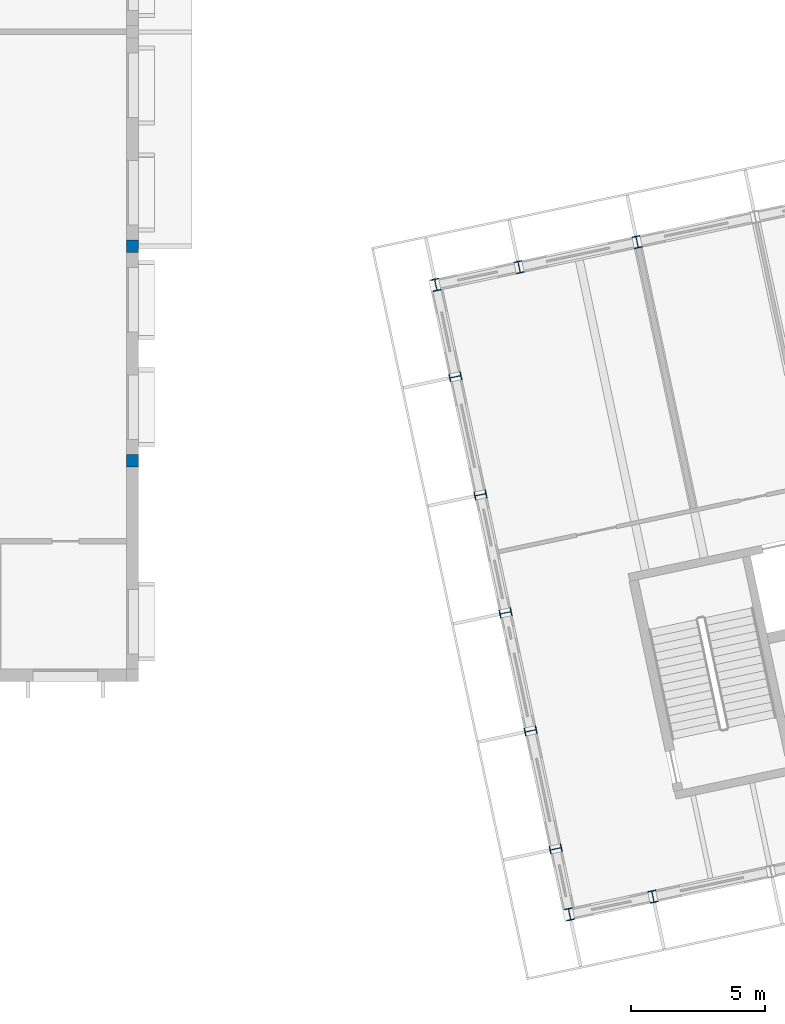
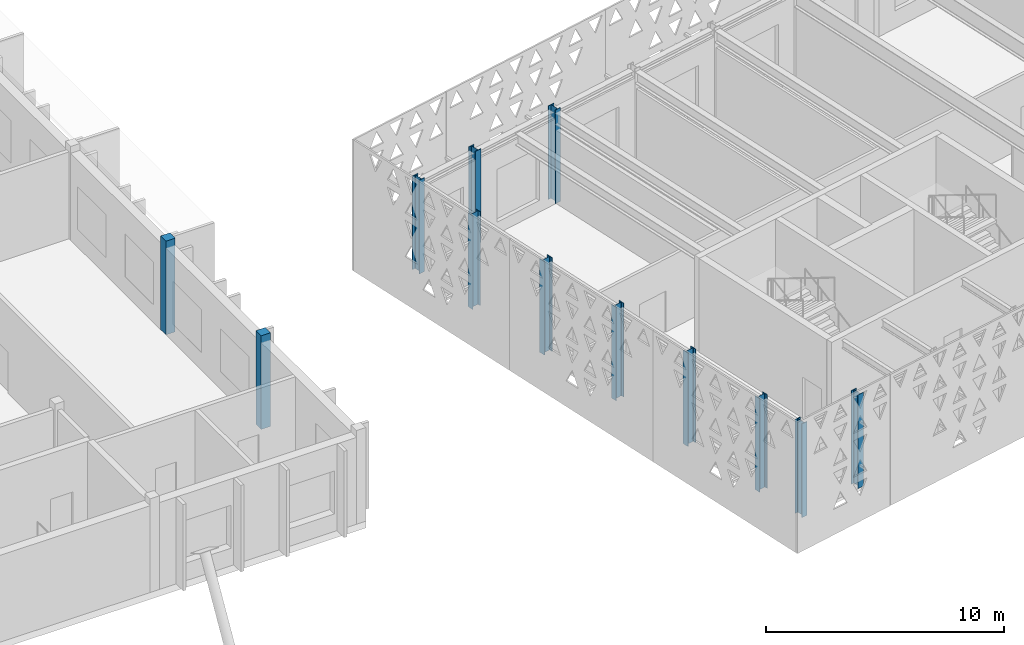
# One storey, part 2 of 182: 12 columns.
"""IFC4 building model written with IfcOpenShell, lengths in metres."""

from ifc_helpers import new_model, si_unit, direction, frame, origin, origin_2d, place, context, subcontext, project, spatial, rectangle, i_section, extrude, material, material_profile, profile_set, type_object, element, save


model = new_model("IFC4")

# Units and contexts
model_context = context("Model", 3, precision=1e-05, world=origin(), true_north=direction((0.0, 1.0)))
body_context = subcontext(model_context, "Body", "Model", "MODEL_VIEW")
ifc_project = project(units=[si_unit("LENGTHUNIT", "METRE"), si_unit("AREAUNIT", "SQUARE_METRE"), si_unit("VOLUMEUNIT", "CUBIC_METRE"), si_unit("PLANEANGLEUNIT", "RADIAN"), si_unit("MASSUNIT", "GRAM", prefix="KILO")], contexts=[model_context])

# Site, building, storey
site_placement = place(None, origin())
site = spatial("IfcSite", under=ifc_project, at=site_placement, CompositionType="ELEMENT")
building_placement = place(site_placement, origin())
building = spatial("IfcBuilding", under=site, at=building_placement, Name="Okhra Congress Centre", CompositionType="ELEMENT")
storey_placement = place(building_placement, frame((0.0, 0.0, 7.199951171875)))
storey = spatial("IfcBuildingStorey", under=building, at=storey_placement, Name="L01", CompositionType="ELEMENT", Elevation=7.199951171875)

# Columns
ifc_material_1 = material(Name="Concrete C35/45", Category="concrete")
ifc_material_profile_1 = material_profile(ifc_material_1, rectangle(XDim=0.449951171875, YDim=0.449951171875, at=origin_2d()), Name="RC 450x450")
ifc_profile_set_1 = profile_set([ifc_material_profile_1], Name="Concrete C35/45")
column_type_1 = type_object("IfcColumnType", Name="RC column 450x450 C35/45", PredefinedType="COLUMN", material=ifc_profile_set_1)
for number, where, z_axis, x_axis, name in (
    (1, (46.0, 44.0, 0.0), (0.0, 0.0, 1.0), (1.0, 0.0, 0.0), "RS.COL.L01.30"),
    (2, (46.0, 52.0, 0.0), (0.0, 0.0, 1.0), (1.0, 0.0, 0.0), "RS.COL.L01.31"),
):
    element("IfcColumn", number, at=place(storey_placement, frame(where, z_axis=z_axis, x_axis=x_axis)), inside=storey, type_object=column_type_1, Name=name, PredefinedType="COLUMN", context=body_context, shape_type="SweptSolid", body=[
        extrude(rectangle(XDim=0.449951171875, YDim=0.449951171875, at=origin_2d()), origin(), (0.0, 0.0, 1.0), 4.800048828125),
    ])
ifc_material_2 = material(Name="Steel S355J2", Category="steel")
ifc_material_profile_2 = material_profile(ifc_material_2, i_section(OverallWidth=0.300048828125, OverallDepth=0.449951171875, WebThickness=0.013916015625, FlangeThickness=0.02587890625, FilletRadius=0.027099609375, at=origin_2d()), Name="HE 450 B")
ifc_profile_set_2 = profile_set([ifc_material_profile_2], Name="Steel S355J2")
column_type_2 = type_object("IfcColumnType", Name="Steel post HE 450 B", PredefinedType="COLUMN", material=ifc_profile_set_2)
for number, where, z_axis, x_axis, name in (
    (3, (62.30712890625, 27.084716796875, 0.0), (0.0, 0.0, 1.0), (0.978147600734, 0.207911690818, 0.0), "Post S1"),
    (4, (65.41259765625, 27.744873046875, 0.0), (0.0, 0.0, 1.0), (0.978147600734, 0.207911690818, 0.0), "Post S2"),
    (5, (57.317138671875, 50.560302734375, 0.0), (0.0, 0.0, 1.0), (0.978147600734, 0.207911690818, 0.0), "Post N1"),
    (6, (60.4228515625, 51.220458984375, 0.0), (0.0, 0.0, 1.0), (0.978147600734, 0.207911690818, 0.0), "Post N2"),
    (7, (64.824462890625, 52.156005859375, 0.0), (0.0, 0.0, 1.0), (0.978147600734, 0.207911690818, 0.0), "Post N3"),
    (8, (61.788330078125, 29.525146484375, 0.0), (0.0, 0.0, 1.0), (-0.207911690818, 0.978147600734, 0.0), "Post W1"),
    (9, (60.852783203125, 33.9267578125, 0.0), (0.0, 0.0, 1.0), (-0.207911690818, 0.978147600734, 0.0), "Post W2"),
    (10, (59.9169921875, 38.32861328125, 0.0), (0.0, 0.0, 1.0), (-0.207911690818, 0.978147600734, 0.0), "Post W3"),
    (11, (58.9814453125, 42.730224609375, 0.0), (0.0, 0.0, 1.0), (-0.207911690818, 0.978147600734, 0.0), "Post W4"),
    (12, (58.0458984375, 47.1318359375, 0.0), (0.0, 0.0, 1.0), (-0.207911690818, 0.978147600734, 0.0), "Post W5"),
):
    element("IfcColumn", number, at=place(storey_placement, frame(where, z_axis=z_axis, x_axis=x_axis)), inside=storey, type_object=column_type_2, Name=name, PredefinedType="COLUMN", context=body_context, shape_type="SweptSolid", body=[
        extrude(i_section(OverallWidth=0.300048828125, OverallDepth=0.449951171875, WebThickness=0.013916015625, FlangeThickness=0.02587890625, FilletRadius=0.027099609375, at=origin_2d()), origin(), (0.0, 0.0, 1.0), 4.800048828125),
    ])

save(model, "model.ifc")
